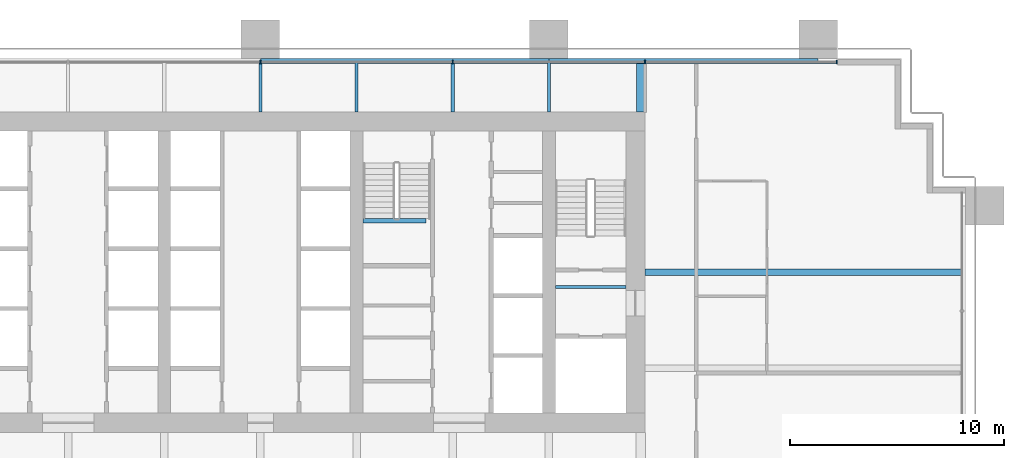
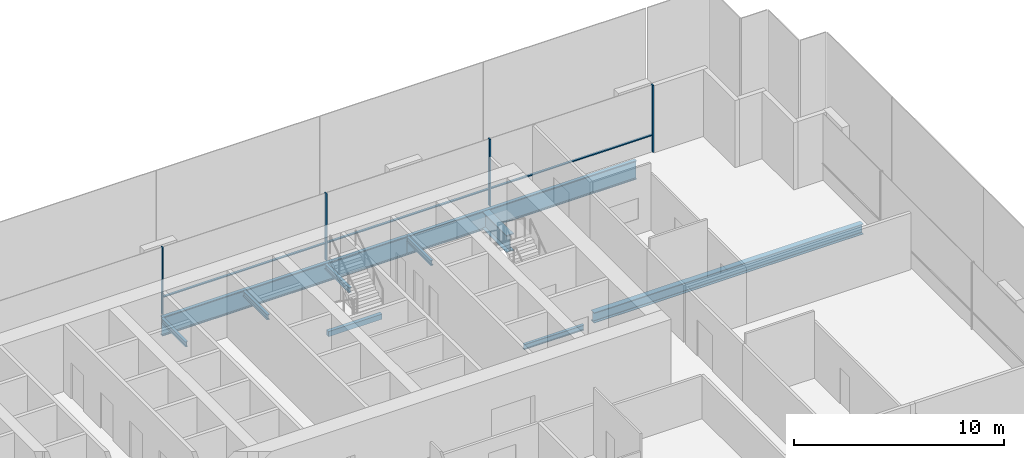
# One storey, part 8 of 18: 10 beams, 7 members, 1 element without a shape of its own.
"""IFC4 building model written with IfcOpenShell, lengths in metres."""

from ifc_helpers import new_model, si_unit, direction, frame, origin, origin_2d, place, context, subcontext, project, spatial, rectangle, i_section, extrude, material, material_profile, profile_set, type_object, element, aggregate, save


model = new_model("IFC4")

# Units and contexts
model_context = context("Model", 3, precision=1e-05, world=origin(), true_north=direction((0.0, 1.0)))
body_context = subcontext(model_context, "Body", "Model", "MODEL_VIEW")
ifc_project = project(units=[si_unit("LENGTHUNIT", "METRE"), si_unit("AREAUNIT", "SQUARE_METRE"), si_unit("VOLUMEUNIT", "CUBIC_METRE"), si_unit("PLANEANGLEUNIT", "RADIAN"), si_unit("MASSUNIT", "GRAM", prefix="KILO")], contexts=[model_context])

# Site, building, storey
site_placement = place(None, origin())
site = spatial("IfcSite", under=ifc_project, at=site_placement, CompositionType="ELEMENT")
building_placement = place(site_placement, origin())
building = spatial("IfcBuilding", under=site, at=building_placement, Name="Rattan Terrace Tower", CompositionType="ELEMENT")
storey_placement = place(building_placement, frame((0.0, 0.0, 57.0)))
storey = spatial("IfcBuildingStorey", under=building, at=storey_placement, Name="L12", CompositionType="ELEMENT", Elevation=57.0)

# Beam
ifc_material_1 = material(Name="Concrete C40/50", Category="concrete")
ifc_material_profile_1 = material_profile(ifc_material_1, rectangle(XDim=0.199951171875, YDim=0.300048828125, at=origin_2d()), Name="RC 200x300")
ifc_profile_set_1 = profile_set([ifc_material_profile_1], Name="Concrete C40/50")
beam_type_1 = type_object("IfcBeamType", Name="Core landing beam RC 200x300", PredefinedType="BEAM", material=ifc_profile_set_1)
beam_1_placement = place(storey_placement, frame((4.800048828125, 2.39990234375, 1.699951171875), z_axis=(1.0, 0.0, 0.0), x_axis=(0.0, 1.0, 0.0)))
element("IfcBeam", 1, at=beam_1_placement, inside=storey, type_object=beam_type_1, Name="st-S3-L12 landing 1 edge beam", PredefinedType="BEAM", context=body_context, shape_type="SweptSolid", body=[
    extrude(rectangle(XDim=0.199951171875, YDim=0.300048828125, at=origin_2d()), origin(), (0.0, 0.0, 1.0), 2.949951171875),
])

# Curtain wall, members
ifc_material_2 = material(Name="Aluminium and glass", Category="aluminium")
curtain_wall_type = type_object("IfcCurtainWallType", Name="Facade Unitised Curtain Wall", PredefinedType="NOTDEFINED", material=ifc_material_2)
curtain_wall_placement = place(storey_placement, origin())
curtain_wall = element("IfcCurtainWall", 2, at=curtain_wall_placement, inside=storey, type_object=curtain_wall_type, Name="Curtain wall L12-2", PredefinedType="NOTDEFINED")
ifc_material_3 = material(Name="Aluminium", Category="aluminium")
ifc_material_profile_2 = material_profile(ifc_material_3, rectangle(XDim=0.06005859375, YDim=0.159912109375, at=origin_2d()), Name="Aluminium 60x160")
ifc_profile_set_2 = profile_set([ifc_material_profile_2], Name="Aluminium")
member_type_1 = type_object("IfcMemberType", Name="Facade CW Mullion 60x160", PredefinedType="MULLION", material=ifc_profile_set_2)
member_1_placement = place(storey_placement, frame((26.969970703125, 9.830078125, 0.0), z_axis=(0.0, 0.0, 1.0), x_axis=(-1.0, 0.0, 0.0)))
member_1 = element("IfcMember", 3, at=member_1_placement, type_object=member_type_1, Name="Mullion cwl-L12-002.1", PredefinedType="MULLION", context=body_context, shape_type="SweptSolid", body=[
    extrude(rectangle(XDim=0.06005859375, YDim=0.159912109375, at=origin_2d()), origin(), (0.0, 0.0, 1.0), 3.89990234375),
])
member_2_placement = place(storey_placement, frame((18.0, 9.830078125, 0.0), z_axis=(0.0, 0.0, 1.0), x_axis=(-1.0, 0.0, 0.0)))
member_2 = element("IfcMember", 4, at=member_2_placement, type_object=member_type_1, Name="Mullion cwl-L12-002.2", PredefinedType="MULLION", context=body_context, shape_type="SweptSolid", body=[
    extrude(rectangle(XDim=0.06005859375, YDim=0.159912109375, at=origin_2d()), origin(), (0.0, 0.0, 1.0), 3.89990234375),
])
member_3_placement = place(storey_placement, frame((9.0, 9.830078125, 0.0), z_axis=(0.0, 0.0, 1.0), x_axis=(-1.0, 0.0, 0.0)))
member_3 = element("IfcMember", 5, at=member_3_placement, type_object=member_type_1, Name="Mullion cwl-L12-002.3", PredefinedType="MULLION", context=body_context, shape_type="SweptSolid", body=[
    extrude(rectangle(XDim=0.06005859375, YDim=0.159912109375, at=origin_2d()), origin(), (0.0, 0.0, 1.0), 3.89990234375),
])
member_4_placement = place(storey_placement, frame((0.0, 9.830078125, 0.0), z_axis=(0.0, 0.0, 1.0), x_axis=(-1.0, 0.0, 0.0)))
member_4 = element("IfcMember", 6, at=member_4_placement, type_object=member_type_1, Name="Mullion cwl-L12-002.4", PredefinedType="MULLION", context=body_context, shape_type="SweptSolid", body=[
    extrude(rectangle(XDim=0.06005859375, YDim=0.159912109375, at=origin_2d()), origin(), (0.0, 0.0, 1.0), 3.89990234375),
])
ifc_material_4 = material(Name="Aluminium", Category="aluminium")
ifc_material_profile_3 = material_profile(ifc_material_4, rectangle(XDim=0.1201171875, YDim=0.06005859375, at=origin_2d()), Name="Aluminium 120x60")
ifc_profile_set_3 = profile_set([ifc_material_profile_3], Name="Aluminium")
member_type_2 = type_object("IfcMemberType", Name="Facade CW Transom 120x60", PredefinedType="USERDEFINED", material=ifc_profile_set_3)
member_5_placement = place(storey_placement, frame((26.93994140625, 9.830078125, 1.0), z_axis=(-1.0, 0.0, 0.0), x_axis=(0.0, -1.0, 0.0)))
member_5 = element("IfcMember", 7, at=member_5_placement, type_object=member_type_2, Name="Transom cwl-L12-002.1", ObjectType="TRANSOM", PredefinedType="USERDEFINED", context=body_context, shape_type="SweptSolid", body=[
    extrude(rectangle(XDim=0.1201171875, YDim=0.06005859375, at=origin_2d()), origin(), (0.0, 0.0, 1.0), 8.909912109375),
])
member_6_placement = place(storey_placement, frame((17.969970703125, 9.830078125, 1.0), z_axis=(-1.0, 0.0, 0.0), x_axis=(0.0, -1.0, 0.0)))
member_6 = element("IfcMember", 8, at=member_6_placement, type_object=member_type_2, Name="Transom cwl-L12-002.2", ObjectType="TRANSOM", PredefinedType="USERDEFINED", context=body_context, shape_type="SweptSolid", body=[
    extrude(rectangle(XDim=0.1201171875, YDim=0.06005859375, at=origin_2d()), origin(), (0.0, 0.0, 1.0), 8.93994140625),
])
member_7_placement = place(storey_placement, frame((8.969970703125, 9.830078125, 1.0), z_axis=(-1.0, 0.0, 0.0), x_axis=(0.0, -1.0, 0.0)))
member_7 = element("IfcMember", 9, at=member_7_placement, type_object=member_type_2, Name="Transom cwl-L12-002.3", ObjectType="TRANSOM", PredefinedType="USERDEFINED", context=body_context, shape_type="SweptSolid", body=[
    extrude(rectangle(XDim=0.1201171875, YDim=0.06005859375, at=origin_2d()), origin(), (0.0, 0.0, 1.0), 8.93994140625),
])
aggregate(curtain_wall, [member_1, member_2, member_3, member_4, member_5, member_6, member_7])

# Beams
ifc_material_5 = material(Name="Steel S460", Category="steel")
ifc_material_profile_4 = material_profile(ifc_material_5, i_section(OverallWidth=0.39990234375, OverallDepth=1.0, WebThickness=0.01806640625, FlangeThickness=0.044921875, at=origin_2d()), Name="PG 1000x400-18-45")
ifc_profile_set_4 = profile_set([ifc_material_profile_4], Name="Steel S460")
beam_type_2 = type_object("IfcBeamType", Name="Frame core girder PG 1000x400-18-45", PredefinedType="BEAM", material=ifc_profile_set_4)
beam_2_placement = place(storey_placement, frame((17.800048828125, 7.5, -0.699951171875), z_axis=(0.0, 1.0, 0.0), x_axis=(-1.0, 0.0, 0.0)))
element("IfcBeam", 10, at=beam_2_placement, inside=storey, type_object=beam_type_2, Name="gdr-L12-016", PredefinedType="BEAM", context=body_context, shape_type="SweptSolid", body=[
    extrude(i_section(OverallWidth=0.39990234375, OverallDepth=1.0, WebThickness=0.01806640625, FlangeThickness=0.044921875, at=origin_2d()), origin(), (0.0, 0.0, 1.0), 2.320068359375),
])
ifc_material_6 = material(Name="Steel S460", Category="steel")
ifc_material_profile_5 = material_profile(ifc_material_6, i_section(OverallWidth=0.179931640625, OverallDepth=1.10009765625, WebThickness=0.01611328125, FlangeThickness=0.050048828125, at=origin_2d()), Name="PG 1100x180-16-50")
ifc_profile_set_5 = profile_set([ifc_material_profile_5], Name="Steel S460")
beam_type_3 = type_object("IfcBeamType", Name="Frame edge girder PG 1100x180-16-50", PredefinedType="SPANDREL", material=ifc_profile_set_5)
beam_3_placement = place(storey_placement, frame((13.5, 9.909912109375, -0.75), z_axis=(-1.0, 0.0, 0.0), x_axis=(0.0, -1.0, 0.0)))
element("IfcBeam", 11, at=beam_3_placement, inside=storey, type_object=beam_type_3, Name="gdr-L12-011", PredefinedType="SPANDREL", context=body_context, shape_type="SweptSolid", body=[
    extrude(i_section(OverallWidth=0.179931640625, OverallDepth=1.10009765625, WebThickness=0.01611328125, FlangeThickness=0.050048828125, at=origin_2d()), origin(), (0.0, 0.0, 1.0), 13.5),
])
beam_4_placement = place(storey_placement, frame((26.10009765625, 9.909912109375, -0.75), z_axis=(-1.0, 0.0, 0.0), x_axis=(0.0, -1.0, 0.0)))
element("IfcBeam", 12, at=beam_4_placement, inside=storey, type_object=beam_type_3, Name="gdr-L12-012", PredefinedType="SPANDREL", context=body_context, shape_type="SweptSolid", body=[
    extrude(i_section(OverallWidth=0.179931640625, OverallDepth=1.10009765625, WebThickness=0.01611328125, FlangeThickness=0.050048828125, at=origin_2d()), origin(), (0.0, 0.0, 1.0), 12.60009765625),
])
ifc_material_7 = material(Name="Steel S355", Category="steel")
ifc_material_profile_6 = material_profile(ifc_material_7, i_section(OverallWidth=0.300048828125, OverallDepth=0.60009765625, WebThickness=0.015380859375, FlangeThickness=0.030029296875, FilletRadius=0.027099609375, at=origin_2d()), Name="HE 600 B")
ifc_profile_set_6 = profile_set([ifc_material_profile_6], Name="Steel S355")
beam_type_4 = type_object("IfcBeamType", Name="Frame floor beam HE 600 B", PredefinedType="JOIST", material=ifc_profile_set_6)
beam_5_placement = place(storey_placement, frame((18.0, 0.0, -0.5), z_axis=(1.0, 0.0, 0.0), x_axis=(0.0, 1.0, 0.0)))
element("IfcBeam", 13, at=beam_5_placement, inside=storey, type_object=beam_type_4, Name="bm-L12-023", PredefinedType="JOIST", context=body_context, shape_type="SweptSolid", body=[
    extrude(i_section(OverallWidth=0.300048828125, OverallDepth=0.60009765625, WebThickness=0.015380859375, FlangeThickness=0.030029296875, FilletRadius=0.027099609375, at=origin_2d()), origin(), (0.0, 0.0, 1.0), 14.820068359375),
])
ifc_material_8 = material(Name="Steel S355", Category="steel")
ifc_material_profile_7 = material_profile(ifc_material_8, i_section(OverallWidth=0.14990234375, OverallDepth=0.300048828125, WebThickness=0.007080078125, FlangeThickness=0.0107421875, FilletRadius=0.014892578125, at=origin_2d()), Name="IPE 300")
ifc_profile_set_7 = profile_set([ifc_material_profile_7], Name="Steel S355")
beam_type_5 = type_object("IfcBeamType", Name="Frame floor beam IPE 300", PredefinedType="JOIST", material=ifc_profile_set_7)
beam_6_placement = place(storey_placement, frame((13.800048828125, -0.695068359375, -0.35009765625), z_axis=(1.0, 0.0, 0.0), x_axis=(0.0, 1.0, 0.0)))
element("IfcBeam", 14, at=beam_6_placement, inside=storey, type_object=beam_type_5, Name="bm-L12-002", PredefinedType="JOIST", context=body_context, shape_type="SweptSolid", body=[
    extrude(i_section(OverallWidth=0.14990234375, OverallDepth=0.300048828125, WebThickness=0.007080078125, FlangeThickness=0.0107421875, FilletRadius=0.014892578125, at=origin_2d()), origin(), (0.0, 0.0, 1.0), 3.300048828125),
])
for number, where, z_axis, x_axis, name in (
    (15, (0.0, 7.5, -0.35009765625), (0.0, 1.0, 0.0), (-1.0, 0.0, 0.0), "bm-L12-027"),
    (16, (4.5, 7.5, -0.35009765625), (0.0, 1.0, 0.0), (-1.0, 0.0, 0.0), "bm-L12-028"),
    (17, (9.0, 7.5, -0.35009765625), (0.0, 1.0, 0.0), (-1.0, 0.0, 0.0), "bm-L12-029"),
    (18, (13.5, 7.5, -0.35009765625), (0.0, 1.0, 0.0), (-1.0, 0.0, 0.0), "bm-L12-030"),
):
    element("IfcBeam", number, at=place(storey_placement, frame(where, z_axis=z_axis, x_axis=x_axis)), inside=storey, type_object=beam_type_5, Name=name, PredefinedType="JOIST", context=body_context, shape_type="SweptSolid", body=[
        extrude(i_section(OverallWidth=0.14990234375, OverallDepth=0.300048828125, WebThickness=0.007080078125, FlangeThickness=0.0107421875, FilletRadius=0.014892578125, at=origin_2d()), origin(), (0.0, 0.0, 1.0), 2.320068359375),
    ])

save(model, "model.ifc")
